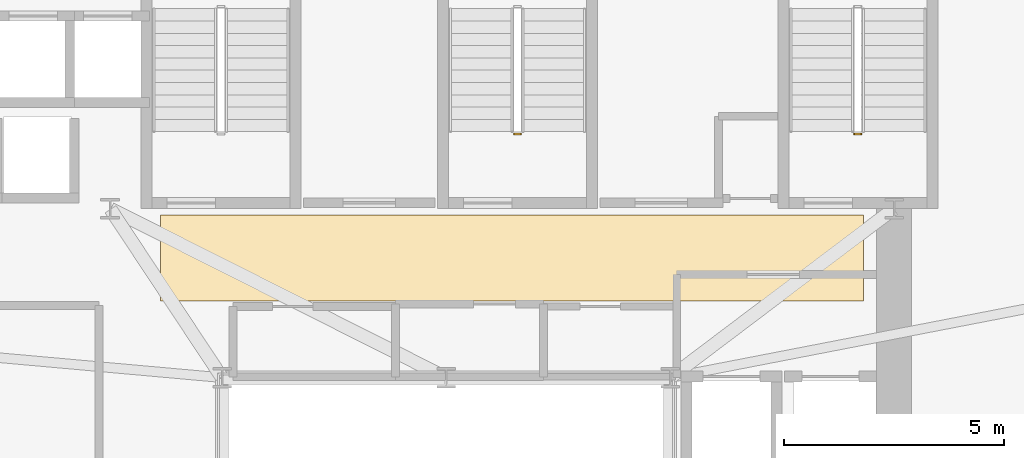
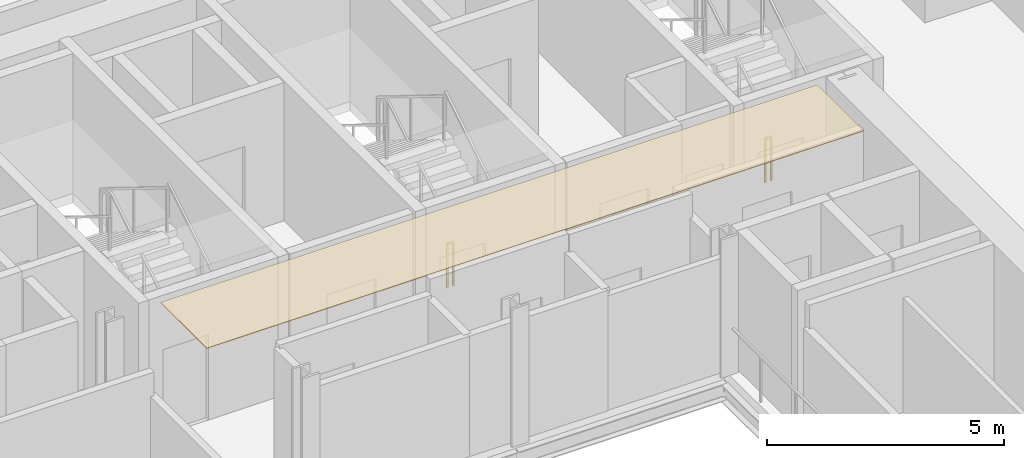
# One storey, part 12 of 14: 2 railings, 1 covering.
"""IFC4 building model written with IfcOpenShell, lengths in metres."""

from ifc_helpers import new_model, si_unit, direction, frame, origin, origin_2d, place, context, subcontext, project, spatial, polyline, rectangle, outline, extrude, source, transform, mapped, material, layer, layer_set, type_object, element, save


model = new_model("IFC4")

# Units and contexts
model_context = context("Model", 3, precision=1e-05, world=origin(), true_north=direction((0.0, 1.0)))
body_context = subcontext(model_context, "Body", "Model", "MODEL_VIEW")
ifc_project = project(units=[si_unit("LENGTHUNIT", "METRE"), si_unit("AREAUNIT", "SQUARE_METRE"), si_unit("VOLUMEUNIT", "CUBIC_METRE"), si_unit("PLANEANGLEUNIT", "RADIAN"), si_unit("MASSUNIT", "GRAM", prefix="KILO")], contexts=[model_context])

# Site, building, storey
site_placement = place(None, origin())
site = spatial("IfcSite", under=ifc_project, at=site_placement, CompositionType="ELEMENT")
building_placement = place(site_placement, origin())
building = spatial("IfcBuilding", under=site, at=building_placement, Name="Vardaveli Station Tower", CompositionType="ELEMENT")
storey_placement = place(building_placement, frame((0.0, 0.0, 103.699951171875)))
storey = spatial("IfcBuildingStorey", under=building, at=storey_placement, Name="L26", CompositionType="ELEMENT", Elevation=103.699951171875)

# Covering
ifc_material_1 = material(Name="Perforated acoustic mineral ceiling")
ifc_layer = layer(ifc_material_1, 0.02001953125, Name="Perforated acoustic mineral ceiling")
ifc_layer_set = layer_set([ifc_layer], Name="Perforated acoustic mineral ceiling")
covering_type = type_object("IfcCoveringType", Name="COV-CEIL-AC20", PredefinedType="CEILING", material=ifc_layer_set)
covering_placement = place(storey_placement, frame((0.0, 0.0, 3.545166015625)))
element("IfcCovering", 1, at=covering_placement, inside=storey, type_object=covering_type, Name="CEIL-L26-7", PredefinedType="CEILING", context=body_context, shape_type="SweptSolid", body=[
    extrude(outline(polyline([(29.800048828125, 28.550048828125), (45.800048828125, 28.550048828125), (45.800048828125, 30.5), (29.800048828125, 30.5), (29.800048828125, 28.550048828125)])), origin(), (0.0, 0.0, 1.0), 0.019775390625),
])

# Railings
ifc_material_2 = material(Name="Brushed AISI 316 stainless steel", Category="steel")
railing_type = type_object("IfcRailingType", Name="RL-GUARD-1150", PredefinedType="GUARDRAIL", material=ifc_material_2)
shared_shape = source(origin(), body_context, "Body", "SweptSolid", [
    extrude(rectangle(XDim=0.048095703125, YDim=0.048095703125, at=origin_2d()), frame((0.0, 0.0, 1.1259765625), z_axis=(-1.0, 0.0, 0.0), x_axis=(0.0, -1.0, 0.0)), (0.0, 0.0, 1.0), 0.14990234375),
    extrude(rectangle(XDim=0.0419921875, YDim=0.0419921875, at=origin_2d()), origin(), (0.0, 0.0, 1.0), 1.101806640625),
    extrude(rectangle(XDim=0.0419921875, YDim=0.0419921875, at=origin_2d()), frame((-0.14990234375, 0.0, 0.0)), (0.0, 0.0, 1.0), 1.101806640625),
])
for number, where, name in (
    (2, (38.0, 32.35009765625, 0.0), "L26 ST-2 stair guard 4"),
    (3, (45.75, 32.35009765625, 0.0), "L26 ST-3 stair guard 4"),
):
    element("IfcRailing", number, at=place(storey_placement, frame(where)), inside=storey, type_object=railing_type, Name=name, PredefinedType="GUARDRAIL", context=body_context, shape_type="MappedRepresentation", body=[
        mapped(shared_shape, transform((0.0, 0.0, 0.0), scale=1.0)),
    ])

save(model, "model.ifc")
